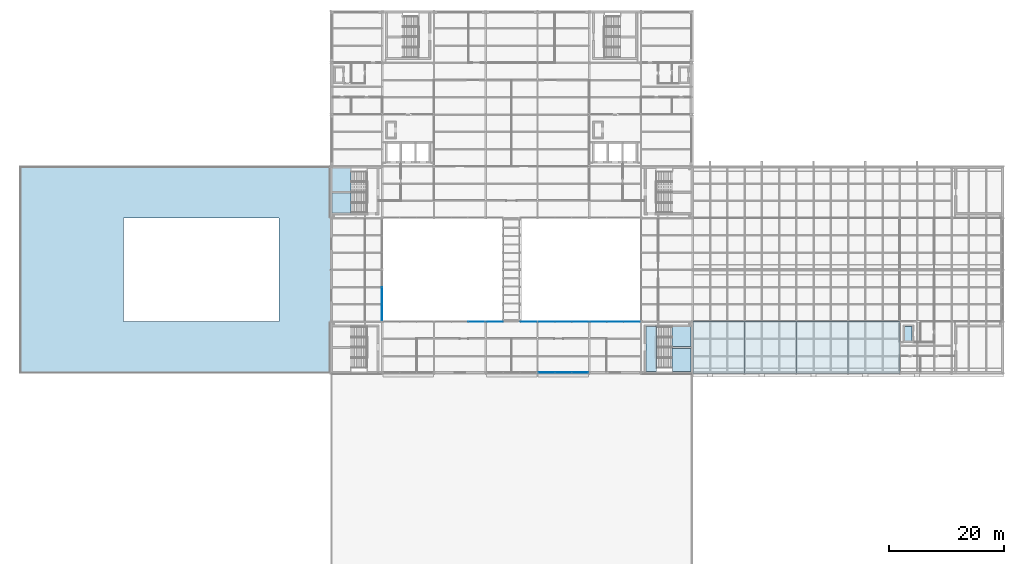
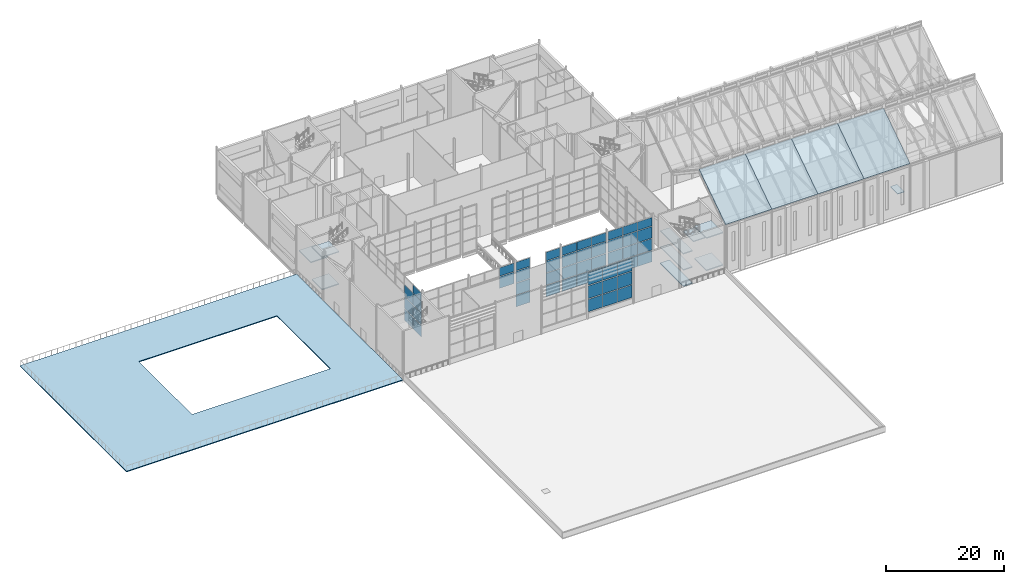
# One storey, part 81 of 111: 50 plates, 15 slabs, 9 elements without a shape of their own.
"""IFC4 building model written with IfcOpenShell, lengths in metres."""

from ifc_helpers import new_model, si_unit, direction, frame, origin, origin_2d, place, context, subcontext, project, spatial, polyline, rectangle, outline, extrude, material, layer, layer_set, type_object, element, aggregate, save


model = new_model("IFC4")

# Units and contexts
model_context = context("Model", 3, precision=1e-05, world=origin(), true_north=direction((0.0, 1.0)))
body_context = subcontext(model_context, "Body", "Model", "MODEL_VIEW")
ifc_project = project(units=[si_unit("LENGTHUNIT", "METRE"), si_unit("AREAUNIT", "SQUARE_METRE"), si_unit("VOLUMEUNIT", "CUBIC_METRE"), si_unit("PLANEANGLEUNIT", "RADIAN"), si_unit("MASSUNIT", "GRAM", prefix="KILO")], contexts=[model_context])

# Site, building, storey
site_placement = place(None, origin())
site = spatial("IfcSite", under=ifc_project, at=site_placement, CompositionType="ELEMENT")
building_placement = place(site_placement, origin())
building = spatial("IfcBuilding", under=site, at=building_placement, Name="Shorebreak Coast Museum", CompositionType="ELEMENT")
storey_placement = place(building_placement, frame((0.0, 0.0, 16.0)))
storey = spatial("IfcBuildingStorey", under=building, at=storey_placement, Name="L03", CompositionType="ELEMENT", Elevation=16.0)

# Curtain wall, plates
ifc_material_1 = material(Name="Aluminium", Category="aluminium")
ifc_layer_1 = layer(ifc_material_1, 0.1201171875)
ifc_layer_set_1 = layer_set([ifc_layer_1], Name="Aluminium")
curtain_wall_type_1 = type_object("IfcCurtainWallType", Name="Atrium fire screen", PredefinedType="NOTDEFINED", material=ifc_layer_set_1)
curtain_wall_1_placement = place(storey_placement, origin())
curtain_wall_1 = element("IfcCurtainWall", 1, at=curtain_wall_1_placement, inside=storey, type_object=curtain_wall_type_1, Name="Atrium screen L03 S 34", PredefinedType="NOTDEFINED")
ifc_material_2 = material(Name="Glass", Category="glass")
ifc_layer_2 = layer(ifc_material_2, 0.034912109375)
ifc_layer_set_2 = layer_set([ifc_layer_2], Name="Glass")
plate_type_1 = type_object("IfcPlateType", Name="Fire-resisting glass panel 35", PredefinedType="CURTAIN_PANEL", material=ifc_layer_set_2)
plate_1_placement = place(storey_placement, frame((79.384521484375, 62.93994140625, 5.06005859375), z_axis=(0.0, 0.0, 1.0), x_axis=(1.0, 0.0, 0.0)))
plate_1 = element("IfcPlate", 2, at=plate_1_placement, type_object=plate_type_1, Name="CW5 panel 3.3", PredefinedType="CURTAIN_PANEL", context=body_context, shape_type="SweptSolid", body=[
    extrude(rectangle(XDim=2.822021484375, YDim=0.034912109375, at=origin_2d()), origin(), (0.0, 0.0, 1.0), 2.3798828125),
])
plate_2_placement = place(storey_placement, frame((79.384521484375, 62.93994140625, 7.56005859375), z_axis=(0.0, 0.0, 1.0), x_axis=(1.0, 0.0, 0.0)))
plate_2 = element("IfcPlate", 3, at=plate_2_placement, type_object=plate_type_1, Name="CW5 panel 3.4", PredefinedType="CURTAIN_PANEL", context=body_context, shape_type="SweptSolid", body=[
    extrude(rectangle(XDim=2.822021484375, YDim=0.034912109375, at=origin_2d()), origin(), (0.0, 0.0, 1.0), 1.742431640625),
])
aggregate(curtain_wall_1, [plate_1, plate_2])

curtain_wall_2_placement = place(storey_placement, origin())
curtain_wall_2 = element("IfcCurtainWall", 4, at=curtain_wall_2_placement, inside=storey, type_object=curtain_wall_type_1, Name="Atrium screen L03 S 35", PredefinedType="NOTDEFINED")
plate_3_placement = place(storey_placement, frame((82.5771484375, 62.93994140625, 0.1201171875), z_axis=(0.0, 0.0, 1.0), x_axis=(1.0, 0.0, 0.0)))
plate_3 = element("IfcPlate", 5, at=plate_3_placement, type_object=plate_type_1, Name="CW6 panel 1.1", PredefinedType="CURTAIN_PANEL", context=body_context, shape_type="SweptSolid", body=[
    extrude(rectangle(XDim=2.74560546875, YDim=0.034912109375, at=origin_2d()), origin(), (0.0, 0.0, 1.0), 2.320068359375),
])
plate_4_placement = place(storey_placement, frame((82.5771484375, 62.93994140625, 2.56005859375), z_axis=(0.0, 0.0, 1.0), x_axis=(1.0, 0.0, 0.0)))
plate_4 = element("IfcPlate", 6, at=plate_4_placement, type_object=plate_type_1, Name="CW6 panel 1.2", PredefinedType="CURTAIN_PANEL", context=body_context, shape_type="SweptSolid", body=[
    extrude(rectangle(XDim=2.74560546875, YDim=0.034912109375, at=origin_2d()), origin(), (0.0, 0.0, 1.0), 2.3798828125),
])
plate_5_placement = place(storey_placement, frame((82.5771484375, 62.93994140625, 5.06005859375), z_axis=(0.0, 0.0, 1.0), x_axis=(1.0, 0.0, 0.0)))
plate_5 = element("IfcPlate", 7, at=plate_5_placement, type_object=plate_type_1, Name="CW6 panel 1.3", PredefinedType="CURTAIN_PANEL", context=body_context, shape_type="SweptSolid", body=[
    extrude(rectangle(XDim=2.74560546875, YDim=0.034912109375, at=origin_2d()), origin(), (0.0, 0.0, 1.0), 2.3798828125),
])
plate_6_placement = place(storey_placement, frame((82.5771484375, 62.93994140625, 7.56005859375), z_axis=(0.0, 0.0, 1.0), x_axis=(1.0, 0.0, 0.0)))
plate_6 = element("IfcPlate", 8, at=plate_6_placement, type_object=plate_type_1, Name="CW6 panel 1.4", PredefinedType="CURTAIN_PANEL", context=body_context, shape_type="SweptSolid", body=[
    extrude(rectangle(XDim=2.74560546875, YDim=0.034912109375, at=origin_2d()), origin(), (0.0, 0.0, 1.0), 1.742431640625),
])
aggregate(curtain_wall_2, [plate_3, plate_4, plate_5, plate_6])

curtain_wall_3_placement = place(storey_placement, origin())
curtain_wall_3 = element("IfcCurtainWall", 9, at=curtain_wall_3_placement, inside=storey, type_object=curtain_wall_type_1, Name="Atrium screen L03 S 36", PredefinedType="NOTDEFINED")
plate_7_placement = place(storey_placement, frame((88.4228515625, 62.93994140625, 0.1201171875), z_axis=(0.0, 0.0, 1.0), x_axis=(1.0, 0.0, 0.0)))
plate_7 = element("IfcPlate", 10, at=plate_7_placement, type_object=plate_type_1, Name="CW4 panel 1.1", PredefinedType="CURTAIN_PANEL", context=body_context, shape_type="SweptSolid", body=[
    extrude(rectangle(XDim=2.74560546875, YDim=0.034912109375, at=origin_2d()), origin(), (0.0, 0.0, 1.0), 2.320068359375),
])
plate_8_placement = place(storey_placement, frame((88.4228515625, 62.93994140625, 2.56005859375), z_axis=(0.0, 0.0, 1.0), x_axis=(1.0, 0.0, 0.0)))
plate_8 = element("IfcPlate", 11, at=plate_8_placement, type_object=plate_type_1, Name="CW4 panel 1.2", PredefinedType="CURTAIN_PANEL", context=body_context, shape_type="SweptSolid", body=[
    extrude(rectangle(XDim=2.74560546875, YDim=0.034912109375, at=origin_2d()), origin(), (0.0, 0.0, 1.0), 2.3798828125),
])
plate_9_placement = place(storey_placement, frame((88.4228515625, 62.93994140625, 5.06005859375), z_axis=(0.0, 0.0, 1.0), x_axis=(1.0, 0.0, 0.0)))
plate_9 = element("IfcPlate", 12, at=plate_9_placement, type_object=plate_type_1, Name="CW4 panel 1.3", PredefinedType="CURTAIN_PANEL", context=body_context, shape_type="SweptSolid", body=[
    extrude(rectangle(XDim=2.74560546875, YDim=0.034912109375, at=origin_2d()), origin(), (0.0, 0.0, 1.0), 2.3798828125),
])
plate_10_placement = place(storey_placement, frame((88.4228515625, 62.93994140625, 7.56005859375), z_axis=(0.0, 0.0, 1.0), x_axis=(1.0, 0.0, 0.0)))
plate_10 = element("IfcPlate", 13, at=plate_10_placement, type_object=plate_type_1, Name="CW4 panel 1.4", PredefinedType="CURTAIN_PANEL", context=body_context, shape_type="SweptSolid", body=[
    extrude(rectangle(XDim=2.74560546875, YDim=0.034912109375, at=origin_2d()), origin(), (0.0, 0.0, 1.0), 1.742431640625),
])
aggregate(curtain_wall_3, [plate_7, plate_8, plate_9, plate_10])

curtain_wall_4_placement = place(storey_placement, origin())
curtain_wall_4 = element("IfcCurtainWall", 14, at=curtain_wall_4_placement, inside=storey, type_object=curtain_wall_type_1, Name="Atrium screen L03 S 37", PredefinedType="NOTDEFINED")
plate_11_placement = place(storey_placement, frame((91.615478515625, 62.93994140625, 0.1201171875), z_axis=(0.0, 0.0, 1.0), x_axis=(1.0, 0.0, 0.0)))
plate_11 = element("IfcPlate", 15, at=plate_11_placement, type_object=plate_type_1, Name="CW5 panel 1.1", PredefinedType="CURTAIN_PANEL", context=body_context, shape_type="SweptSolid", body=[
    extrude(rectangle(XDim=2.822021484375, YDim=0.034912109375, at=origin_2d()), origin(), (0.0, 0.0, 1.0), 2.320068359375),
])
plate_12_placement = place(storey_placement, frame((91.615478515625, 62.93994140625, 2.56005859375), z_axis=(0.0, 0.0, 1.0), x_axis=(1.0, 0.0, 0.0)))
plate_12 = element("IfcPlate", 16, at=plate_12_placement, type_object=plate_type_1, Name="CW5 panel 1.2", PredefinedType="CURTAIN_PANEL", context=body_context, shape_type="SweptSolid", body=[
    extrude(rectangle(XDim=2.822021484375, YDim=0.034912109375, at=origin_2d()), origin(), (0.0, 0.0, 1.0), 2.3798828125),
])
plate_13_placement = place(storey_placement, frame((91.615478515625, 62.93994140625, 5.06005859375), z_axis=(0.0, 0.0, 1.0), x_axis=(1.0, 0.0, 0.0)))
plate_13 = element("IfcPlate", 17, at=plate_13_placement, type_object=plate_type_1, Name="CW5 panel 1.3", PredefinedType="CURTAIN_PANEL", context=body_context, shape_type="SweptSolid", body=[
    extrude(rectangle(XDim=2.822021484375, YDim=0.034912109375, at=origin_2d()), origin(), (0.0, 0.0, 1.0), 2.3798828125),
])
plate_14_placement = place(storey_placement, frame((91.615478515625, 62.93994140625, 7.56005859375), z_axis=(0.0, 0.0, 1.0), x_axis=(1.0, 0.0, 0.0)))
plate_14 = element("IfcPlate", 18, at=plate_14_placement, type_object=plate_type_1, Name="CW5 panel 1.4", PredefinedType="CURTAIN_PANEL", context=body_context, shape_type="SweptSolid", body=[
    extrude(rectangle(XDim=2.822021484375, YDim=0.034912109375, at=origin_2d()), origin(), (0.0, 0.0, 1.0), 1.742431640625),
])
plate_15_placement = place(storey_placement, frame((94.5, 62.93994140625, 0.1201171875), z_axis=(0.0, 0.0, 1.0), x_axis=(1.0, 0.0, 0.0)))
plate_15 = element("IfcPlate", 19, at=plate_15_placement, type_object=plate_type_1, Name="CW5 panel 2.1", PredefinedType="CURTAIN_PANEL", context=body_context, shape_type="SweptSolid", body=[
    extrude(rectangle(XDim=2.846923828125, YDim=0.034912109375, at=origin_2d()), origin(), (0.0, 0.0, 1.0), 2.320068359375),
])
plate_16_placement = place(storey_placement, frame((94.5, 62.93994140625, 2.56005859375), z_axis=(0.0, 0.0, 1.0), x_axis=(1.0, 0.0, 0.0)))
plate_16 = element("IfcPlate", 20, at=plate_16_placement, type_object=plate_type_1, Name="CW5 panel 2.2", PredefinedType="CURTAIN_PANEL", context=body_context, shape_type="SweptSolid", body=[
    extrude(rectangle(XDim=2.846923828125, YDim=0.034912109375, at=origin_2d()), origin(), (0.0, 0.0, 1.0), 2.3798828125),
])
plate_17_placement = place(storey_placement, frame((94.5, 62.93994140625, 5.06005859375), z_axis=(0.0, 0.0, 1.0), x_axis=(1.0, 0.0, 0.0)))
plate_17 = element("IfcPlate", 21, at=plate_17_placement, type_object=plate_type_1, Name="CW5 panel 2.3", PredefinedType="CURTAIN_PANEL", context=body_context, shape_type="SweptSolid", body=[
    extrude(rectangle(XDim=2.846923828125, YDim=0.034912109375, at=origin_2d()), origin(), (0.0, 0.0, 1.0), 2.3798828125),
])
plate_18_placement = place(storey_placement, frame((94.5, 62.93994140625, 7.56005859375), z_axis=(0.0, 0.0, 1.0), x_axis=(1.0, 0.0, 0.0)))
plate_18 = element("IfcPlate", 22, at=plate_18_placement, type_object=plate_type_1, Name="CW5 panel 2.4", PredefinedType="CURTAIN_PANEL", context=body_context, shape_type="SweptSolid", body=[
    extrude(rectangle(XDim=2.846923828125, YDim=0.034912109375, at=origin_2d()), origin(), (0.0, 0.0, 1.0), 1.742431640625),
])
plate_19_placement = place(storey_placement, frame((97.384521484375, 62.93994140625, 0.1201171875), z_axis=(0.0, 0.0, 1.0), x_axis=(1.0, 0.0, 0.0)))
plate_19 = element("IfcPlate", 23, at=plate_19_placement, type_object=plate_type_1, Name="CW5 panel 3.1", PredefinedType="CURTAIN_PANEL", context=body_context, shape_type="SweptSolid", body=[
    extrude(rectangle(XDim=2.822021484375, YDim=0.034912109375, at=origin_2d()), origin(), (0.0, 0.0, 1.0), 2.320068359375),
])
plate_20_placement = place(storey_placement, frame((97.384521484375, 62.93994140625, 2.56005859375), z_axis=(0.0, 0.0, 1.0), x_axis=(1.0, 0.0, 0.0)))
plate_20 = element("IfcPlate", 24, at=plate_20_placement, type_object=plate_type_1, Name="CW5 panel 3.2", PredefinedType="CURTAIN_PANEL", context=body_context, shape_type="SweptSolid", body=[
    extrude(rectangle(XDim=2.822021484375, YDim=0.034912109375, at=origin_2d()), origin(), (0.0, 0.0, 1.0), 2.3798828125),
])
plate_21_placement = place(storey_placement, frame((97.384521484375, 62.93994140625, 5.06005859375), z_axis=(0.0, 0.0, 1.0), x_axis=(1.0, 0.0, 0.0)))
plate_21 = element("IfcPlate", 25, at=plate_21_placement, type_object=plate_type_1, Name="CW5 panel 3.3", PredefinedType="CURTAIN_PANEL", context=body_context, shape_type="SweptSolid", body=[
    extrude(rectangle(XDim=2.822021484375, YDim=0.034912109375, at=origin_2d()), origin(), (0.0, 0.0, 1.0), 2.3798828125),
])
plate_22_placement = place(storey_placement, frame((97.384521484375, 62.93994140625, 7.56005859375), z_axis=(0.0, 0.0, 1.0), x_axis=(1.0, 0.0, 0.0)))
plate_22 = element("IfcPlate", 26, at=plate_22_placement, type_object=plate_type_1, Name="CW5 panel 3.4", PredefinedType="CURTAIN_PANEL", context=body_context, shape_type="SweptSolid", body=[
    extrude(rectangle(XDim=2.822021484375, YDim=0.034912109375, at=origin_2d()), origin(), (0.0, 0.0, 1.0), 1.742431640625),
])
aggregate(curtain_wall_4, [plate_11, plate_12, plate_13, plate_14, plate_15, plate_16, plate_17, plate_18, plate_19, plate_20, plate_21, plate_22])

curtain_wall_5_placement = place(storey_placement, origin())
curtain_wall_5 = element("IfcCurtainWall", 27, at=curtain_wall_5_placement, inside=storey, type_object=curtain_wall_type_1, Name="Atrium screen L03 S 38", PredefinedType="NOTDEFINED")
plate_23_placement = place(storey_placement, frame((100.615478515625, 62.93994140625, 0.1201171875), z_axis=(0.0, 0.0, 1.0), x_axis=(1.0, 0.0, 0.0)))
plate_23 = element("IfcPlate", 28, at=plate_23_placement, type_object=plate_type_1, Name="CW6 panel 1.1", PredefinedType="CURTAIN_PANEL", context=body_context, shape_type="SweptSolid", body=[
    extrude(rectangle(XDim=2.822021484375, YDim=0.034912109375, at=origin_2d()), origin(), (0.0, 0.0, 1.0), 2.320068359375),
])
plate_24_placement = place(storey_placement, frame((100.615478515625, 62.93994140625, 2.56005859375), z_axis=(0.0, 0.0, 1.0), x_axis=(1.0, 0.0, 0.0)))
plate_24 = element("IfcPlate", 29, at=plate_24_placement, type_object=plate_type_1, Name="CW6 panel 1.2", PredefinedType="CURTAIN_PANEL", context=body_context, shape_type="SweptSolid", body=[
    extrude(rectangle(XDim=2.822021484375, YDim=0.034912109375, at=origin_2d()), origin(), (0.0, 0.0, 1.0), 2.3798828125),
])
plate_25_placement = place(storey_placement, frame((100.615478515625, 62.93994140625, 5.06005859375), z_axis=(0.0, 0.0, 1.0), x_axis=(1.0, 0.0, 0.0)))
plate_25 = element("IfcPlate", 30, at=plate_25_placement, type_object=plate_type_1, Name="CW6 panel 1.3", PredefinedType="CURTAIN_PANEL", context=body_context, shape_type="SweptSolid", body=[
    extrude(rectangle(XDim=2.822021484375, YDim=0.034912109375, at=origin_2d()), origin(), (0.0, 0.0, 1.0), 2.3798828125),
])
plate_26_placement = place(storey_placement, frame((100.615478515625, 62.93994140625, 7.56005859375), z_axis=(0.0, 0.0, 1.0), x_axis=(1.0, 0.0, 0.0)))
plate_26 = element("IfcPlate", 31, at=plate_26_placement, type_object=plate_type_1, Name="CW6 panel 1.4", PredefinedType="CURTAIN_PANEL", context=body_context, shape_type="SweptSolid", body=[
    extrude(rectangle(XDim=2.822021484375, YDim=0.034912109375, at=origin_2d()), origin(), (0.0, 0.0, 1.0), 1.742431640625),
])
plate_27_placement = place(storey_placement, frame((103.5, 62.93994140625, 0.1201171875), z_axis=(0.0, 0.0, 1.0), x_axis=(1.0, 0.0, 0.0)))
plate_27 = element("IfcPlate", 32, at=plate_27_placement, type_object=plate_type_1, Name="CW6 panel 2.1", PredefinedType="CURTAIN_PANEL", context=body_context, shape_type="SweptSolid", body=[
    extrude(rectangle(XDim=2.846923828125, YDim=0.034912109375, at=origin_2d()), origin(), (0.0, 0.0, 1.0), 2.320068359375),
])
plate_28_placement = place(storey_placement, frame((103.5, 62.93994140625, 2.56005859375), z_axis=(0.0, 0.0, 1.0), x_axis=(1.0, 0.0, 0.0)))
plate_28 = element("IfcPlate", 33, at=plate_28_placement, type_object=plate_type_1, Name="CW6 panel 2.2", PredefinedType="CURTAIN_PANEL", context=body_context, shape_type="SweptSolid", body=[
    extrude(rectangle(XDim=2.846923828125, YDim=0.034912109375, at=origin_2d()), origin(), (0.0, 0.0, 1.0), 2.3798828125),
])
plate_29_placement = place(storey_placement, frame((103.5, 62.93994140625, 5.06005859375), z_axis=(0.0, 0.0, 1.0), x_axis=(1.0, 0.0, 0.0)))
plate_29 = element("IfcPlate", 34, at=plate_29_placement, type_object=plate_type_1, Name="CW6 panel 2.3", PredefinedType="CURTAIN_PANEL", context=body_context, shape_type="SweptSolid", body=[
    extrude(rectangle(XDim=2.846923828125, YDim=0.034912109375, at=origin_2d()), origin(), (0.0, 0.0, 1.0), 2.3798828125),
])
plate_30_placement = place(storey_placement, frame((103.5, 62.93994140625, 7.56005859375), z_axis=(0.0, 0.0, 1.0), x_axis=(1.0, 0.0, 0.0)))
plate_30 = element("IfcPlate", 35, at=plate_30_placement, type_object=plate_type_1, Name="CW6 panel 2.4", PredefinedType="CURTAIN_PANEL", context=body_context, shape_type="SweptSolid", body=[
    extrude(rectangle(XDim=2.846923828125, YDim=0.034912109375, at=origin_2d()), origin(), (0.0, 0.0, 1.0), 1.742431640625),
])
plate_31_placement = place(storey_placement, frame((106.384521484375, 62.93994140625, 0.1201171875), z_axis=(0.0, 0.0, 1.0), x_axis=(1.0, 0.0, 0.0)))
plate_31 = element("IfcPlate", 36, at=plate_31_placement, type_object=plate_type_1, Name="CW6 panel 3.1", PredefinedType="CURTAIN_PANEL", context=body_context, shape_type="SweptSolid", body=[
    extrude(rectangle(XDim=2.822021484375, YDim=0.034912109375, at=origin_2d()), origin(), (0.0, 0.0, 1.0), 2.320068359375),
])
plate_32_placement = place(storey_placement, frame((106.384521484375, 62.93994140625, 2.56005859375), z_axis=(0.0, 0.0, 1.0), x_axis=(1.0, 0.0, 0.0)))
plate_32 = element("IfcPlate", 37, at=plate_32_placement, type_object=plate_type_1, Name="CW6 panel 3.2", PredefinedType="CURTAIN_PANEL", context=body_context, shape_type="SweptSolid", body=[
    extrude(rectangle(XDim=2.822021484375, YDim=0.034912109375, at=origin_2d()), origin(), (0.0, 0.0, 1.0), 2.3798828125),
])
plate_33_placement = place(storey_placement, frame((106.384521484375, 62.93994140625, 5.06005859375), z_axis=(0.0, 0.0, 1.0), x_axis=(1.0, 0.0, 0.0)))
plate_33 = element("IfcPlate", 38, at=plate_33_placement, type_object=plate_type_1, Name="CW6 panel 3.3", PredefinedType="CURTAIN_PANEL", context=body_context, shape_type="SweptSolid", body=[
    extrude(rectangle(XDim=2.822021484375, YDim=0.034912109375, at=origin_2d()), origin(), (0.0, 0.0, 1.0), 2.3798828125),
])
plate_34_placement = place(storey_placement, frame((106.384521484375, 62.93994140625, 7.56005859375), z_axis=(0.0, 0.0, 1.0), x_axis=(1.0, 0.0, 0.0)))
plate_34 = element("IfcPlate", 39, at=plate_34_placement, type_object=plate_type_1, Name="CW6 panel 3.4", PredefinedType="CURTAIN_PANEL", context=body_context, shape_type="SweptSolid", body=[
    extrude(rectangle(XDim=2.822021484375, YDim=0.034912109375, at=origin_2d()), origin(), (0.0, 0.0, 1.0), 1.742431640625),
])
aggregate(curtain_wall_5, [plate_23, plate_24, plate_25, plate_26, plate_27, plate_28, plate_29, plate_30, plate_31, plate_32, plate_33, plate_34])

curtain_wall_6_placement = place(storey_placement, origin())
curtain_wall_6 = element("IfcCurtainWall", 40, at=curtain_wall_6_placement, inside=storey, type_object=curtain_wall_type_1, Name="Atrium screen L03 W 45", PredefinedType="NOTDEFINED")
plate_35_placement = place(storey_placement, frame((62.93994140625, 64.63427734375, 0.1201171875), z_axis=(0.0, 0.0, 1.0), x_axis=(0.0, 1.0, 0.0)))
plate_35 = element("IfcPlate", 41, at=plate_35_placement, type_object=plate_type_1, Name="CW4 panel 1.1", PredefinedType="CURTAIN_PANEL", context=body_context, shape_type="SweptSolid", body=[
    extrude(rectangle(XDim=2.81201171875, YDim=0.034912109375, at=origin_2d()), origin(), (0.0, 0.0, 1.0), 2.320068359375),
])
plate_36_placement = place(storey_placement, frame((62.93994140625, 64.63427734375, 2.56005859375), z_axis=(0.0, 0.0, 1.0), x_axis=(0.0, 1.0, 0.0)))
plate_36 = element("IfcPlate", 42, at=plate_36_placement, type_object=plate_type_1, Name="CW4 panel 1.2", PredefinedType="CURTAIN_PANEL", context=body_context, shape_type="SweptSolid", body=[
    extrude(rectangle(XDim=2.81201171875, YDim=0.034912109375, at=origin_2d()), origin(), (0.0, 0.0, 1.0), 2.3798828125),
])
plate_37_placement = place(storey_placement, frame((62.93994140625, 64.63427734375, 5.06005859375), z_axis=(0.0, 0.0, 1.0), x_axis=(0.0, 1.0, 0.0)))
plate_37 = element("IfcPlate", 43, at=plate_37_placement, type_object=plate_type_1, Name="CW4 panel 1.3", PredefinedType="CURTAIN_PANEL", context=body_context, shape_type="SweptSolid", body=[
    extrude(rectangle(XDim=2.81201171875, YDim=0.034912109375, at=origin_2d()), origin(), (0.0, 0.0, 1.0), 2.3798828125),
])
plate_38_placement = place(storey_placement, frame((62.93994140625, 64.63427734375, 7.56005859375), z_axis=(0.0, 0.0, 1.0), x_axis=(0.0, 1.0, 0.0)))
plate_38 = element("IfcPlate", 44, at=plate_38_placement, type_object=plate_type_1, Name="CW4 panel 1.4", PredefinedType="CURTAIN_PANEL", context=body_context, shape_type="SweptSolid", body=[
    extrude(rectangle(XDim=2.81201171875, YDim=0.034912109375, at=origin_2d()), origin(), (0.0, 0.0, 1.0), 1.61669921875),
])
plate_39_placement = place(storey_placement, frame((62.93994140625, 67.509033203125, 0.1201171875), z_axis=(0.0, 0.0, 1.0), x_axis=(0.0, 1.0, 0.0)))
plate_39 = element("IfcPlate", 45, at=plate_39_placement, type_object=plate_type_1, Name="CW4 panel 2.1", PredefinedType="CURTAIN_PANEL", context=body_context, shape_type="SweptSolid", body=[
    extrude(rectangle(XDim=2.837158203125, YDim=0.034912109375, at=origin_2d()), origin(), (0.0, 0.0, 1.0), 2.320068359375),
])
plate_40_placement = place(storey_placement, frame((62.93994140625, 67.509033203125, 2.56005859375), z_axis=(0.0, 0.0, 1.0), x_axis=(0.0, 1.0, 0.0)))
plate_40 = element("IfcPlate", 46, at=plate_40_placement, type_object=plate_type_1, Name="CW4 panel 2.2", PredefinedType="CURTAIN_PANEL", context=body_context, shape_type="SweptSolid", body=[
    extrude(rectangle(XDim=2.837158203125, YDim=0.034912109375, at=origin_2d()), origin(), (0.0, 0.0, 1.0), 2.3798828125),
])
plate_41_placement = place(storey_placement, frame((62.93994140625, 67.509033203125, 5.06005859375), z_axis=(0.0, 0.0, 1.0), x_axis=(0.0, 1.0, 0.0)))
plate_41 = element("IfcPlate", 47, at=plate_41_placement, type_object=plate_type_1, Name="CW4 panel 2.3", PredefinedType="CURTAIN_PANEL", context=body_context, shape_type="SweptSolid", body=[
    extrude(rectangle(XDim=2.837158203125, YDim=0.034912109375, at=origin_2d()), origin(), (0.0, 0.0, 1.0), 2.3798828125),
])
aggregate(curtain_wall_6, [plate_35, plate_36, plate_37, plate_38, plate_39, plate_40, plate_41])

# Slabs
ifc_material_3 = material(Name="Concrete N40 (40 MPa)", Category="concrete")
ifc_layer_3 = layer(ifc_material_3, 0.10009765625)
ifc_layer_set_3 = layer_set([ifc_layer_3], Name="Concrete N40 (40 MPa)")
slab_type_1 = type_object("IfcSlabType", Name="Riser platform 100", PredefinedType="USERDEFINED", material=ifc_layer_set_3)
slab_1_placement = place(storey_placement, frame((0.0, 0.0, -0.10009765625)))
element("IfcSlab", 48, at=slab_1_placement, inside=storey, type_object=slab_type_1, Name="Riser platform R-WC-E L03", ObjectType="RISER PLATFORM", PredefinedType="USERDEFINED", context=body_context, shape_type="SweptSolid", body=[
    extrude(outline(polyline([(153.85009765625, 59.64990234375), (155.14990234375, 59.64990234375), (155.14990234375, 62.14990234375), (153.85009765625, 62.14990234375), (153.85009765625, 59.64990234375)])), origin(), (0.0, 0.0, 1.0), 0.10009765625),
])
ifc_material_4 = material(Name="Concrete N40 (40 MPa)", Category="concrete")
ifc_layer_4 = layer(ifc_material_4, 0.175048828125)
ifc_layer_set_4 = layer_set([ifc_layer_4], Name="Concrete N40 (40 MPa)")
slab_type_2 = type_object("IfcSlabType", Name="Roof deck 175 concrete N40", PredefinedType="ROOF", material=ifc_layer_set_4)
slab_2_placement = place(storey_placement, frame((0.0, 0.0, -0.175048828125)))
element("IfcSlab", 49, at=slab_2_placement, inside=storey, type_object=slab_type_2, Name="Roof deck west foyers", PredefinedType="ROOF", context=body_context, shape_type="SweptSolid", body=[
    extrude(outline(polyline([(0.0, 54.0), (54.0, 54.0), (54.0, 90.0), (0.0, 90.0), (0.0, 54.0)]), holes=[polyline([(18.0, 63.0), (45.0, 63.0), (45.0, 81.0), (18.0, 81.0), (18.0, 63.0)])]), origin(), (0.0, 0.0, 1.0), 0.175048828125),
])
ifc_material_5 = material(Name="Concrete N50 (50 MPa)", Category="concrete")
ifc_layer_5 = layer(ifc_material_5, 0.199951171875)
ifc_layer_set_5 = layer_set([ifc_layer_5], Name="Concrete N50 (50 MPa)")
slab_type_3 = type_object("IfcSlabType", Name="Roof slab folded plate 200 concrete N50", PredefinedType="ROOF", material=ifc_layer_set_5)
for number, where, z_axis, x_axis, name in (
    (50, (117.0, 54.0, 10.0), (0.0, -0.554700196225, 0.832050294338), (1.0, 0.0, 0.0), "Folded roof slab FOLD-E-P01"),
    (51, (126.0, 54.0, 10.0), (0.0, -0.554700196225, 0.832050294338), (1.0, 0.0, 0.0), "Folded roof slab FOLD-E-P02"),
    (52, (135.0, 54.0, 10.0), (0.0, -0.554700196225, 0.832050294338), (1.0, 0.0, 0.0), "Folded roof slab FOLD-E-P03"),
    (53, (144.0, 54.0, 10.0), (0.0, -0.554700196225, 0.832050294338), (1.0, 0.0, 0.0), "Folded roof slab FOLD-E-P04"),
):
    element("IfcSlab", number, at=place(storey_placement, frame(where, z_axis=z_axis, x_axis=x_axis)), inside=storey, type_object=slab_type_3, Name=name, PredefinedType="ROOF", context=body_context, shape_type="SweptSolid", body=[
        extrude(outline(polyline([(0.0, 0.0), (9.0, 0.0), (9.0, 10.816653826391969), (0.0, 10.816653826391969), (0.0, 0.0)])), origin(), (0.0, 0.0, -1.0), 0.199951171875),
    ])

# Stair, slabs
ifc_material_6 = material(Name="Concrete N40 (40 MPa)", Category="concrete")
stair_type = type_object("IfcStairType", Name="Stair run 10 m", PredefinedType="DOUBLE_RETURN_STAIR", material=ifc_material_6)
stair_1_placement = place(storey_placement, origin())
stair_1 = element("IfcStair", 54, at=stair_1_placement, inside=storey, type_object=stair_type, Name="Exit stair ST02-L03", PredefinedType="DOUBLE_RETURN_STAIR")
ifc_material_7 = material(Name="Concrete N40 (40 MPa)", Category="concrete")
ifc_layer_6 = layer(ifc_material_7, 0.199951171875)
ifc_layer_set_6 = layer_set([ifc_layer_6], Name="Concrete N40 (40 MPa)")
slab_type_4 = type_object("IfcSlabType", Name="Stair landing 200", PredefinedType="LANDING", material=ifc_layer_set_6)
slab_3_placement = place(storey_placement, frame((0.0, 0.0, -0.199951171875)))
slab_3 = element("IfcSlab", 55, at=slab_3_placement, type_object=slab_type_4, Name="ST02-L03 landing 1", PredefinedType="LANDING", context=body_context, shape_type="SweptSolid", body=[
    extrude(outline(polyline([(108.89990234375, 54.300048828125), (110.699951171875, 54.300048828125), (110.699951171875, 62.10009765625), (108.89990234375, 62.10009765625), (108.89990234375, 54.300048828125)])), origin(), (0.0, 0.0, 1.0), 0.199951171875),
])
slab_4_placement = place(storey_placement, frame((0.0, 0.0, 3.13330078125)))
slab_4 = element("IfcSlab", 56, at=slab_4_placement, type_object=slab_type_4, Name="ST02-L03 landing 2", PredefinedType="LANDING", context=body_context, shape_type="SweptSolid", body=[
    extrude(outline(polyline([(108.89990234375, 54.300048828125), (110.699951171875, 54.300048828125), (110.699951171875, 62.10009765625), (108.89990234375, 62.10009765625), (108.89990234375, 54.300048828125)])), origin(), (0.0, 0.0, 1.0), 0.199951171875),
])
slab_5_placement = place(storey_placement, frame((0.0, 0.0, 6.466796875)))
slab_5 = element("IfcSlab", 57, at=slab_5_placement, type_object=slab_type_4, Name="ST02-L03 landing 3", PredefinedType="LANDING", context=body_context, shape_type="SweptSolid", body=[
    extrude(outline(polyline([(108.89990234375, 54.300048828125), (110.699951171875, 54.300048828125), (110.699951171875, 62.10009765625), (108.89990234375, 62.10009765625), (108.89990234375, 54.300048828125)])), origin(), (0.0, 0.0, 1.0), 0.199951171875),
])
slab_6_placement = place(storey_placement, frame((0.0, 0.0, 1.466796875)))
slab_6 = element("IfcSlab", 58, at=slab_6_placement, type_object=slab_type_4, Name="ST02-L03 landing 4", PredefinedType="LANDING", context=body_context, shape_type="SweptSolid", body=[
    extrude(outline(polyline([(113.39990234375, 54.300048828125), (116.699951171875, 54.300048828125), (116.699951171875, 58.35009765625), (113.39990234375, 58.35009765625), (113.39990234375, 54.300048828125)])), origin(), (0.0, 0.0, 1.0), 0.199951171875),
])
slab_7_placement = place(storey_placement, frame((0.0, 0.0, 4.800048828125)))
slab_7 = element("IfcSlab", 59, at=slab_7_placement, type_object=slab_type_4, Name="ST02-L03 landing 5", PredefinedType="LANDING", context=body_context, shape_type="SweptSolid", body=[
    extrude(outline(polyline([(113.39990234375, 58.64990234375), (116.699951171875, 58.64990234375), (116.699951171875, 62.10009765625), (113.39990234375, 62.10009765625), (113.39990234375, 58.64990234375)])), origin(), (0.0, 0.0, 1.0), 0.199951171875),
])
slab_8_placement = place(storey_placement, frame((0.0, 0.0, 8.13330078125)))
slab_8 = element("IfcSlab", 60, at=slab_8_placement, type_object=slab_type_4, Name="ST02-L03 landing 6", PredefinedType="LANDING", context=body_context, shape_type="SweptSolid", body=[
    extrude(outline(polyline([(113.39990234375, 54.300048828125), (116.699951171875, 54.300048828125), (116.699951171875, 58.35009765625), (113.39990234375, 58.35009765625), (113.39990234375, 54.300048828125)])), origin(), (0.0, 0.0, 1.0), 0.199951171875),
])
aggregate(stair_1, [slab_3, slab_4, slab_5, slab_6, slab_7, slab_8])

stair_2_placement = place(storey_placement, origin())
stair_2 = element("IfcStair", 61, at=stair_2_placement, inside=storey, type_object=stair_type, Name="Exit stair ST03-L03", PredefinedType="DOUBLE_RETURN_STAIR")
slab_9_placement = place(storey_placement, frame((0.0, 0.0, 1.466796875)))
slab_9 = element("IfcSlab", 62, at=slab_9_placement, type_object=slab_type_4, Name="ST03-L03 landing 4", PredefinedType="LANDING", context=body_context, shape_type="SweptSolid", body=[
    extrude(outline(polyline([(54.300048828125, 81.89990234375), (57.60009765625, 81.89990234375), (57.60009765625, 85.35009765625), (54.300048828125, 85.35009765625), (54.300048828125, 81.89990234375)])), origin(), (0.0, 0.0, 1.0), 0.199951171875),
])
slab_10_placement = place(storey_placement, frame((0.0, 0.0, 4.800048828125)))
slab_10 = element("IfcSlab", 63, at=slab_10_placement, type_object=slab_type_4, Name="ST03-L03 landing 5", PredefinedType="LANDING", context=body_context, shape_type="SweptSolid", body=[
    extrude(outline(polyline([(54.300048828125, 85.64990234375), (57.60009765625, 85.64990234375), (57.60009765625, 89.699951171875), (54.300048828125, 89.699951171875), (54.300048828125, 85.64990234375)])), origin(), (0.0, 0.0, 1.0), 0.199951171875),
])
slab_11_placement = place(storey_placement, frame((0.0, 0.0, 8.13330078125)))
slab_11 = element("IfcSlab", 64, at=slab_11_placement, type_object=slab_type_4, Name="ST03-L03 landing 6", PredefinedType="LANDING", context=body_context, shape_type="SweptSolid", body=[
    extrude(outline(polyline([(54.300048828125, 81.89990234375), (57.60009765625, 81.89990234375), (57.60009765625, 85.35009765625), (54.300048828125, 85.35009765625), (54.300048828125, 81.89990234375)])), origin(), (0.0, 0.0, 1.0), 0.199951171875),
])
aggregate(stair_2, [slab_9, slab_10, slab_11])

# Curtain wall, plates
ifc_material_8 = material(Name="Aluminium", Category="aluminium")
ifc_layer_7 = layer(ifc_material_8, 0.14990234375)
ifc_layer_set_7 = layer_set([ifc_layer_7], Name="Aluminium")
curtain_wall_type_2 = type_object("IfcCurtainWallType", Name="Storefront curtain wall", PredefinedType="NOTDEFINED", material=ifc_layer_set_7)
curtain_wall_7_placement = place(storey_placement, origin())
curtain_wall_7 = element("IfcCurtainWall", 65, at=curtain_wall_7_placement, inside=storey, type_object=curtain_wall_type_2, Name="Atrium Hall glazing L03 S 3", PredefinedType="NOTDEFINED")
ifc_material_9 = material(Name="Glass", Category="glass")
ifc_layer_8 = layer(ifc_material_9, 0.031982421875)
ifc_layer_set_8 = layer_set([ifc_layer_8], Name="Glass")
plate_type_2 = type_object("IfcPlateType", Name="Storefront glass panel 32", PredefinedType="CURTAIN_PANEL", material=ifc_layer_set_8)
plate_42_placement = place(storey_placement, frame((91.595947265625, 54.14990234375, 1.25), z_axis=(0.0, 0.0, 1.0), x_axis=(1.0, 0.0, 0.0)))
plate_42 = element("IfcPlate", 66, at=plate_42_placement, type_object=plate_type_2, Name="CW5 panel 1.1", PredefinedType="CURTAIN_PANEL", context=body_context, shape_type="SweptSolid", body=[
    extrude(rectangle(XDim=2.841552734375, YDim=0.031982421875, at=origin_2d()), origin(), (0.0, 0.0, 1.0), 2.56591796875),
])
plate_43_placement = place(storey_placement, frame((91.595947265625, 54.14990234375, 3.966064453125), z_axis=(0.0, 0.0, 1.0), x_axis=(1.0, 0.0, 0.0)))
plate_43 = element("IfcPlate", 67, at=plate_43_placement, type_object=plate_type_2, Name="CW5 panel 1.2", PredefinedType="CURTAIN_PANEL", context=body_context, shape_type="SweptSolid", body=[
    extrude(rectangle(XDim=2.841552734375, YDim=0.031982421875, at=origin_2d()), origin(), (0.0, 0.0, 1.0), 2.64111328125),
])
plate_44_placement = place(storey_placement, frame((91.595947265625, 54.14990234375, 6.757080078125), z_axis=(0.0, 0.0, 1.0), x_axis=(1.0, 0.0, 0.0)))
plate_44 = element("IfcPlate", 68, at=plate_44_placement, type_object=plate_type_2, Name="CW5 panel 1.3", PredefinedType="CURTAIN_PANEL", context=body_context, shape_type="SweptSolid", body=[
    extrude(rectangle(XDim=2.841552734375, YDim=0.031982421875, at=origin_2d()), origin(), (0.0, 0.0, 1.0), 2.56591796875),
])
plate_45_placement = place(storey_placement, frame((94.5, 54.14990234375, 1.25), z_axis=(0.0, 0.0, 1.0), x_axis=(1.0, 0.0, 0.0)))
plate_45 = element("IfcPlate", 69, at=plate_45_placement, type_object=plate_type_2, Name="CW5 panel 2.1", PredefinedType="CURTAIN_PANEL", context=body_context, shape_type="SweptSolid", body=[
    extrude(rectangle(XDim=2.86669921875, YDim=0.031982421875, at=origin_2d()), origin(), (0.0, 0.0, 1.0), 2.56591796875),
])
plate_46_placement = place(storey_placement, frame((94.5, 54.14990234375, 3.966064453125), z_axis=(0.0, 0.0, 1.0), x_axis=(1.0, 0.0, 0.0)))
plate_46 = element("IfcPlate", 70, at=plate_46_placement, type_object=plate_type_2, Name="CW5 panel 2.2", PredefinedType="CURTAIN_PANEL", context=body_context, shape_type="SweptSolid", body=[
    extrude(rectangle(XDim=2.86669921875, YDim=0.031982421875, at=origin_2d()), origin(), (0.0, 0.0, 1.0), 2.64111328125),
])
plate_47_placement = place(storey_placement, frame((94.5, 54.14990234375, 6.757080078125), z_axis=(0.0, 0.0, 1.0), x_axis=(1.0, 0.0, 0.0)))
plate_47 = element("IfcPlate", 71, at=plate_47_placement, type_object=plate_type_2, Name="CW5 panel 2.3", PredefinedType="CURTAIN_PANEL", context=body_context, shape_type="SweptSolid", body=[
    extrude(rectangle(XDim=2.86669921875, YDim=0.031982421875, at=origin_2d()), origin(), (0.0, 0.0, 1.0), 2.56591796875),
])
plate_48_placement = place(storey_placement, frame((97.404052734375, 54.14990234375, 1.25), z_axis=(0.0, 0.0, 1.0), x_axis=(1.0, 0.0, 0.0)))
plate_48 = element("IfcPlate", 72, at=plate_48_placement, type_object=plate_type_2, Name="CW5 panel 3.1", PredefinedType="CURTAIN_PANEL", context=body_context, shape_type="SweptSolid", body=[
    extrude(rectangle(XDim=2.841552734375, YDim=0.031982421875, at=origin_2d()), origin(), (0.0, 0.0, 1.0), 2.56591796875),
])
plate_49_placement = place(storey_placement, frame((97.404052734375, 54.14990234375, 3.966064453125), z_axis=(0.0, 0.0, 1.0), x_axis=(1.0, 0.0, 0.0)))
plate_49 = element("IfcPlate", 73, at=plate_49_placement, type_object=plate_type_2, Name="CW5 panel 3.2", PredefinedType="CURTAIN_PANEL", context=body_context, shape_type="SweptSolid", body=[
    extrude(rectangle(XDim=2.841552734375, YDim=0.031982421875, at=origin_2d()), origin(), (0.0, 0.0, 1.0), 2.64111328125),
])
plate_50_placement = place(storey_placement, frame((97.404052734375, 54.14990234375, 6.757080078125), z_axis=(0.0, 0.0, 1.0), x_axis=(1.0, 0.0, 0.0)))
plate_50 = element("IfcPlate", 74, at=plate_50_placement, type_object=plate_type_2, Name="CW5 panel 3.3", PredefinedType="CURTAIN_PANEL", context=body_context, shape_type="SweptSolid", body=[
    extrude(rectangle(XDim=2.841552734375, YDim=0.031982421875, at=origin_2d()), origin(), (0.0, 0.0, 1.0), 2.56591796875),
])
aggregate(curtain_wall_7, [plate_42, plate_43, plate_44, plate_45, plate_46, plate_47, plate_48, plate_49, plate_50])

save(model, "model.ifc")
